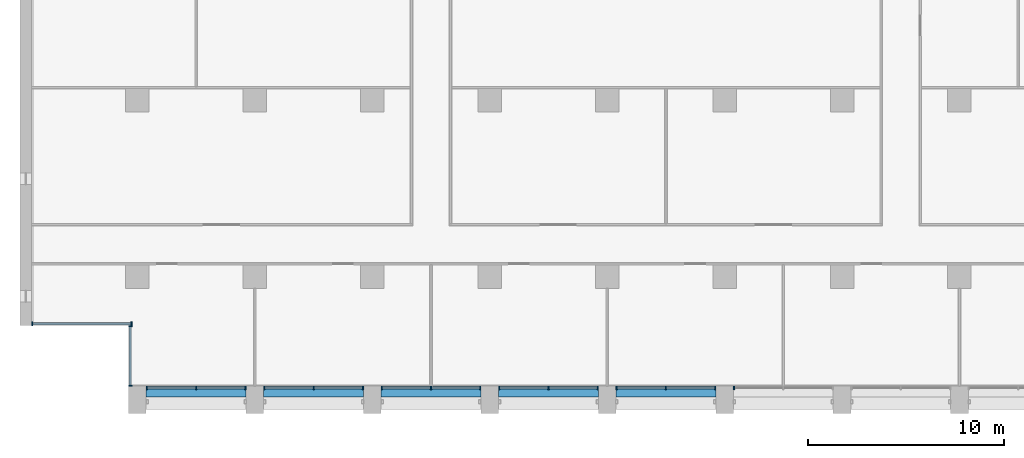
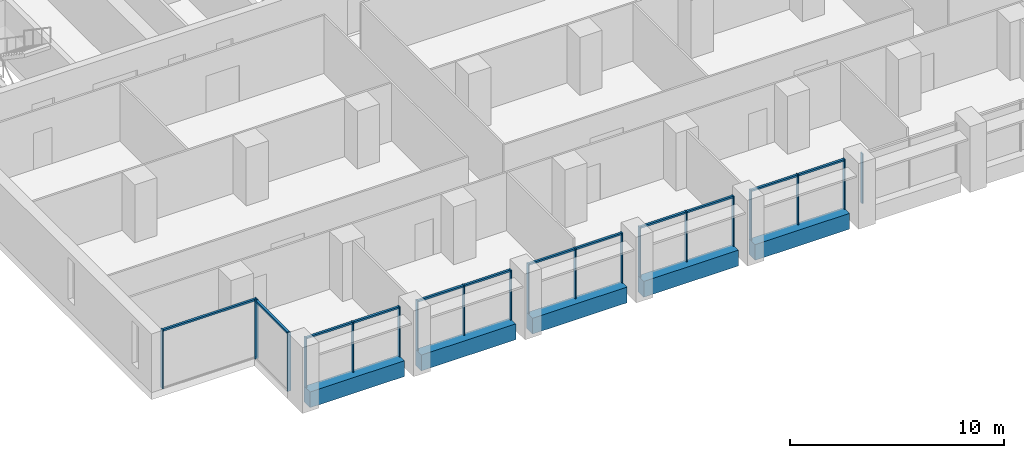
# One storey, part 2 of 17: 32 members, 5 beams, 8 elements without a shape of their own.
"""IFC4 building model written with IfcOpenShell, lengths in metres."""

from ifc_helpers import new_model, si_unit, direction, frame, origin, origin_2d, place, context, subcontext, project, spatial, rectangle, extrude, material, material_profile, profile_set, type_object, element, aggregate, save


model = new_model("IFC4")

# Units and contexts
model_context = context("Model", 3, precision=1e-05, world=origin(), true_north=direction((0.0, 1.0)))
body_context = subcontext(model_context, "Body", "Model", "MODEL_VIEW")
ifc_project = project(units=[si_unit("LENGTHUNIT", "METRE"), si_unit("AREAUNIT", "SQUARE_METRE"), si_unit("VOLUMEUNIT", "CUBIC_METRE"), si_unit("PLANEANGLEUNIT", "RADIAN"), si_unit("MASSUNIT", "GRAM", prefix="KILO")], contexts=[model_context])

# Site, building, storey
site_placement = place(None, origin())
site = spatial("IfcSite", under=ifc_project, at=site_placement, CompositionType="ELEMENT")
building_placement = place(site_placement, origin())
building = spatial("IfcBuilding", under=site, at=building_placement, Name="Calvaro Tower", CompositionType="ELEMENT")
storey_placement = place(building_placement, frame((0.0, 0.0, 174.25)))
storey = spatial("IfcBuildingStorey", under=building, at=storey_placement, Name="L43", CompositionType="ELEMENT", Elevation=174.25)

# Curtain wall, members
ifc_material_1 = material(Name="Anodised aluminium", Category="aluminium")
curtain_wall_type = type_object("IfcCurtainWallType", Name="Office curtain wall, upper zone", PredefinedType="NOTDEFINED", material=ifc_material_1)
curtain_wall_1_placement = place(storey_placement, origin())
curtain_wall_1 = element("IfcCurtainWall", 1, at=curtain_wall_1_placement, inside=storey, type_object=curtain_wall_type, Name="CW3 south curtain wall", PredefinedType="NOTDEFINED")
ifc_material_2 = material(Name="Anodised aluminium", Category="aluminium")
ifc_material_profile_1 = material_profile(ifc_material_2, rectangle(XDim=0.179931640625, YDim=0.06005859375, at=origin_2d()), Name="Mullion S3 60 x 180")
ifc_profile_set_1 = profile_set([ifc_material_profile_1], Name="Anodised aluminium")
member_type_1 = type_object("IfcMemberType", Name="Mullion S3 60 x 180", PredefinedType="MULLION", material=ifc_profile_set_1)
member_1_placement = place(storey_placement, frame((12.47998046875, 4.31005859375, 0.0), z_axis=(0.0, 0.0, 1.0), x_axis=(0.0, 1.0, 0.0)))
member_1 = element("IfcMember", 2, at=member_1_placement, type_object=member_type_1, Name="CW3 mullion 1", PredefinedType="MULLION", context=body_context, shape_type="SweptSolid", body=[
    extrude(rectangle(XDim=0.179931640625, YDim=0.06005859375, at=origin_2d()), origin(), (0.0, 0.0, 1.0), 2.85009765625),
])
member_2_placement = place(storey_placement, frame((15.0, 4.31005859375, 0.0), z_axis=(0.0, 0.0, 1.0), x_axis=(0.0, 1.0, 0.0)))
member_2 = element("IfcMember", 3, at=member_2_placement, type_object=member_type_1, Name="CW3 mullion 2", PredefinedType="MULLION", context=body_context, shape_type="SweptSolid", body=[
    extrude(rectangle(XDim=0.179931640625, YDim=0.06005859375, at=origin_2d()), origin(), (0.0, 0.0, 1.0), 2.85009765625),
])
member_3_placement = place(storey_placement, frame((17.52001953125, 4.31005859375, 0.0), z_axis=(0.0, 0.0, 1.0), x_axis=(0.0, 1.0, 0.0)))
member_3 = element("IfcMember", 4, at=member_3_placement, type_object=member_type_1, Name="CW3 mullion 3", PredefinedType="MULLION", context=body_context, shape_type="SweptSolid", body=[
    extrude(rectangle(XDim=0.179931640625, YDim=0.06005859375, at=origin_2d()), origin(), (0.0, 0.0, 1.0), 2.85009765625),
])

curtain_wall_2_placement = place(storey_placement, origin())
curtain_wall_2 = element("IfcCurtainWall", 5, at=curtain_wall_2_placement, inside=storey, type_object=curtain_wall_type, Name="CW3 south curtain wall", PredefinedType="NOTDEFINED")
member_4_placement = place(storey_placement, frame((18.47998046875, 4.31005859375, 0.0), z_axis=(0.0, 0.0, 1.0), x_axis=(0.0, 1.0, 0.0)))
member_4 = element("IfcMember", 6, at=member_4_placement, type_object=member_type_1, Name="CW3 mullion 1", PredefinedType="MULLION", context=body_context, shape_type="SweptSolid", body=[
    extrude(rectangle(XDim=0.179931640625, YDim=0.06005859375, at=origin_2d()), origin(), (0.0, 0.0, 1.0), 2.85009765625),
])
member_5_placement = place(storey_placement, frame((21.0, 4.31005859375, 0.0), z_axis=(0.0, 0.0, 1.0), x_axis=(0.0, 1.0, 0.0)))
member_5 = element("IfcMember", 7, at=member_5_placement, type_object=member_type_1, Name="CW3 mullion 2", PredefinedType="MULLION", context=body_context, shape_type="SweptSolid", body=[
    extrude(rectangle(XDim=0.179931640625, YDim=0.06005859375, at=origin_2d()), origin(), (0.0, 0.0, 1.0), 2.85009765625),
])
member_6_placement = place(storey_placement, frame((23.52001953125, 4.31005859375, 0.0), z_axis=(0.0, 0.0, 1.0), x_axis=(0.0, 1.0, 0.0)))
member_6 = element("IfcMember", 8, at=member_6_placement, type_object=member_type_1, Name="CW3 mullion 3", PredefinedType="MULLION", context=body_context, shape_type="SweptSolid", body=[
    extrude(rectangle(XDim=0.179931640625, YDim=0.06005859375, at=origin_2d()), origin(), (0.0, 0.0, 1.0), 2.85009765625),
])

curtain_wall_3_placement = place(storey_placement, origin())
curtain_wall_3 = element("IfcCurtainWall", 9, at=curtain_wall_3_placement, inside=storey, type_object=curtain_wall_type, Name="CW3 south curtain wall", PredefinedType="NOTDEFINED")
member_7_placement = place(storey_placement, frame((24.47998046875, 4.31005859375, 0.0), z_axis=(0.0, 0.0, 1.0), x_axis=(0.0, 1.0, 0.0)))
member_7 = element("IfcMember", 10, at=member_7_placement, type_object=member_type_1, Name="CW3 mullion 1", PredefinedType="MULLION", context=body_context, shape_type="SweptSolid", body=[
    extrude(rectangle(XDim=0.179931640625, YDim=0.06005859375, at=origin_2d()), origin(), (0.0, 0.0, 1.0), 2.85009765625),
])
member_8_placement = place(storey_placement, frame((27.0, 4.31005859375, 0.0), z_axis=(0.0, 0.0, 1.0), x_axis=(0.0, 1.0, 0.0)))
member_8 = element("IfcMember", 11, at=member_8_placement, type_object=member_type_1, Name="CW3 mullion 2", PredefinedType="MULLION", context=body_context, shape_type="SweptSolid", body=[
    extrude(rectangle(XDim=0.179931640625, YDim=0.06005859375, at=origin_2d()), origin(), (0.0, 0.0, 1.0), 2.85009765625),
])
member_9_placement = place(storey_placement, frame((29.52001953125, 4.31005859375, 0.0), z_axis=(0.0, 0.0, 1.0), x_axis=(0.0, 1.0, 0.0)))
member_9 = element("IfcMember", 12, at=member_9_placement, type_object=member_type_1, Name="CW3 mullion 3", PredefinedType="MULLION", context=body_context, shape_type="SweptSolid", body=[
    extrude(rectangle(XDim=0.179931640625, YDim=0.06005859375, at=origin_2d()), origin(), (0.0, 0.0, 1.0), 2.85009765625),
])

curtain_wall_4_placement = place(storey_placement, origin())
curtain_wall_4 = element("IfcCurtainWall", 13, at=curtain_wall_4_placement, inside=storey, type_object=curtain_wall_type, Name="CW3 south curtain wall", PredefinedType="NOTDEFINED")
member_10_placement = place(storey_placement, frame((30.47998046875, 4.31005859375, 0.0), z_axis=(0.0, 0.0, 1.0), x_axis=(0.0, 1.0, 0.0)))
member_10 = element("IfcMember", 14, at=member_10_placement, type_object=member_type_1, Name="CW3 mullion 1", PredefinedType="MULLION", context=body_context, shape_type="SweptSolid", body=[
    extrude(rectangle(XDim=0.179931640625, YDim=0.06005859375, at=origin_2d()), origin(), (0.0, 0.0, 1.0), 2.85009765625),
])
member_11_placement = place(storey_placement, frame((33.0, 4.31005859375, 0.0), z_axis=(0.0, 0.0, 1.0), x_axis=(0.0, 1.0, 0.0)))
member_11 = element("IfcMember", 15, at=member_11_placement, type_object=member_type_1, Name="CW3 mullion 2", PredefinedType="MULLION", context=body_context, shape_type="SweptSolid", body=[
    extrude(rectangle(XDim=0.179931640625, YDim=0.06005859375, at=origin_2d()), origin(), (0.0, 0.0, 1.0), 2.85009765625),
])
member_12_placement = place(storey_placement, frame((35.52001953125, 4.31005859375, 0.0), z_axis=(0.0, 0.0, 1.0), x_axis=(0.0, 1.0, 0.0)))
member_12 = element("IfcMember", 16, at=member_12_placement, type_object=member_type_1, Name="CW3 mullion 3", PredefinedType="MULLION", context=body_context, shape_type="SweptSolid", body=[
    extrude(rectangle(XDim=0.179931640625, YDim=0.06005859375, at=origin_2d()), origin(), (0.0, 0.0, 1.0), 2.85009765625),
])

curtain_wall_5_placement = place(storey_placement, origin())
curtain_wall_5 = element("IfcCurtainWall", 17, at=curtain_wall_5_placement, inside=storey, type_object=curtain_wall_type, Name="CW3 south curtain wall", PredefinedType="NOTDEFINED")
member_13_placement = place(storey_placement, frame((36.47998046875, 4.31005859375, 0.0), z_axis=(0.0, 0.0, 1.0), x_axis=(0.0, 1.0, 0.0)))
member_13 = element("IfcMember", 18, at=member_13_placement, type_object=member_type_1, Name="CW3 mullion 1", PredefinedType="MULLION", context=body_context, shape_type="SweptSolid", body=[
    extrude(rectangle(XDim=0.179931640625, YDim=0.06005859375, at=origin_2d()), origin(), (0.0, 0.0, 1.0), 2.85009765625),
])
member_14_placement = place(storey_placement, frame((39.0, 4.31005859375, 0.0), z_axis=(0.0, 0.0, 1.0), x_axis=(0.0, 1.0, 0.0)))
member_14 = element("IfcMember", 19, at=member_14_placement, type_object=member_type_1, Name="CW3 mullion 2", PredefinedType="MULLION", context=body_context, shape_type="SweptSolid", body=[
    extrude(rectangle(XDim=0.179931640625, YDim=0.06005859375, at=origin_2d()), origin(), (0.0, 0.0, 1.0), 2.85009765625),
])
member_15_placement = place(storey_placement, frame((41.52001953125, 4.31005859375, 0.0), z_axis=(0.0, 0.0, 1.0), x_axis=(0.0, 1.0, 0.0)))
member_15 = element("IfcMember", 20, at=member_15_placement, type_object=member_type_1, Name="CW3 mullion 3", PredefinedType="MULLION", context=body_context, shape_type="SweptSolid", body=[
    extrude(rectangle(XDim=0.179931640625, YDim=0.06005859375, at=origin_2d()), origin(), (0.0, 0.0, 1.0), 2.85009765625),
])

# Curtain wall, member
curtain_wall_6_placement = place(storey_placement, origin())
curtain_wall_6 = element("IfcCurtainWall", 21, at=curtain_wall_6_placement, inside=storey, type_object=curtain_wall_type, Name="CW3 south curtain wall", PredefinedType="NOTDEFINED")
member_16_placement = place(storey_placement, frame((42.47998046875, 4.31005859375, 0.0), z_axis=(0.0, 0.0, 1.0), x_axis=(0.0, 1.0, 0.0)))
member_16 = element("IfcMember", 22, at=member_16_placement, type_object=member_type_1, Name="CW3 mullion 1", PredefinedType="MULLION", context=body_context, shape_type="SweptSolid", body=[
    extrude(rectangle(XDim=0.179931640625, YDim=0.06005859375, at=origin_2d()), origin(), (0.0, 0.0, 1.0), 2.85009765625),
])
aggregate(curtain_wall_6, [member_16])

# Curtain wall, members
curtain_wall_7_placement = place(storey_placement, origin())
curtain_wall_7 = element("IfcCurtainWall", 23, at=curtain_wall_7_placement, inside=storey, type_object=curtain_wall_type, Name="CW3 corner curtain wall", PredefinedType="NOTDEFINED")
member_17_placement = place(storey_placement, frame((11.639892578125, 4.429931640625, 0.0), z_axis=(0.0, 0.0, 1.0), x_axis=(-1.0, 0.0, 0.0)))
member_17 = element("IfcMember", 24, at=member_17_placement, type_object=member_type_1, Name="CW3 mullion 1", PredefinedType="MULLION", context=body_context, shape_type="SweptSolid", body=[
    extrude(rectangle(XDim=0.179931640625, YDim=0.06005859375, at=origin_2d()), origin(), (0.0, 0.0, 1.0), 3.35009765625),
])
member_18_placement = place(storey_placement, frame((11.639892578125, 7.469970703125, 0.0), z_axis=(0.0, 0.0, 1.0), x_axis=(-1.0, 0.0, 0.0)))
member_18 = element("IfcMember", 25, at=member_18_placement, type_object=member_type_1, Name="CW3 mullion 2", PredefinedType="MULLION", context=body_context, shape_type="SweptSolid", body=[
    extrude(rectangle(XDim=0.179931640625, YDim=0.06005859375, at=origin_2d()), origin(), (0.0, 0.0, 1.0), 3.35009765625),
])

curtain_wall_8_placement = place(storey_placement, origin())
curtain_wall_8 = element("IfcCurtainWall", 26, at=curtain_wall_8_placement, inside=storey, type_object=curtain_wall_type, Name="CW3 corner curtain wall", PredefinedType="NOTDEFINED")
member_19_placement = place(storey_placement, frame((6.6298828125, 7.590087890625, 0.0), z_axis=(0.0, 0.0, 1.0), x_axis=(0.0, 1.0, 0.0)))
member_19 = element("IfcMember", 27, at=member_19_placement, type_object=member_type_1, Name="CW3 mullion 1", PredefinedType="MULLION", context=body_context, shape_type="SweptSolid", body=[
    extrude(rectangle(XDim=0.179931640625, YDim=0.06005859375, at=origin_2d()), origin(), (0.0, 0.0, 1.0), 3.35009765625),
])
member_20_placement = place(storey_placement, frame((11.699951171875, 7.590087890625, 0.0), z_axis=(0.0, 0.0, 1.0), x_axis=(0.0, 1.0, 0.0)))
member_20 = element("IfcMember", 28, at=member_20_placement, type_object=member_type_1, Name="CW3 mullion 2", PredefinedType="MULLION", context=body_context, shape_type="SweptSolid", body=[
    extrude(rectangle(XDim=0.179931640625, YDim=0.06005859375, at=origin_2d()), origin(), (0.0, 0.0, 1.0), 3.35009765625),
])

# Beams
ifc_material_3 = material(Name="Concrete C50/60 precast", Category="concrete")
ifc_material_profile_2 = material_profile(ifc_material_3, rectangle(XDim=0.550048828125, YDim=0.89990234375, at=origin_2d()), Name="RC 550x900")
ifc_profile_set_2 = profile_set([ifc_material_profile_2], Name="Concrete C50/60 precast")
beam_type = type_object("IfcBeamType", Name="Spandrel beam 550x900 C50/60", PredefinedType="SPANDREL", material=ifc_profile_set_2)
for number, where, z_axis, x_axis, name in (
    (29, (12.449951171875, 4.125, -0.449951171875), (1.0, 0.0, 0.0), (0.0, 1.0, 0.0), "Spandrel beam"),
    (30, (18.449951171875, 4.125, -0.449951171875), (1.0, 0.0, 0.0), (0.0, 1.0, 0.0), "Spandrel beam"),
    (31, (24.449951171875, 4.125, -0.449951171875), (1.0, 0.0, 0.0), (0.0, 1.0, 0.0), "Spandrel beam"),
    (32, (30.449951171875, 4.125, -0.449951171875), (1.0, 0.0, 0.0), (0.0, 1.0, 0.0), "Spandrel beam"),
    (33, (36.449951171875, 4.125, -0.449951171875), (1.0, 0.0, 0.0), (0.0, 1.0, 0.0), "Spandrel beam"),
):
    element("IfcBeam", number, at=place(storey_placement, frame(where, z_axis=z_axis, x_axis=x_axis)), inside=storey, type_object=beam_type, Name=name, PredefinedType="SPANDREL", context=body_context, shape_type="SweptSolid", body=[
        extrude(rectangle(XDim=0.550048828125, YDim=0.89990234375, at=origin_2d()), origin(), (0.0, 0.0, 1.0), 5.10009765625),
    ])

# Member
ifc_material_4 = material(Name="Anodised aluminium", Category="aluminium")
ifc_material_profile_3 = material_profile(ifc_material_4, rectangle(XDim=0.1201171875, YDim=0.10009765625, at=origin_2d()), Name="Transom S3 100 x 120")
ifc_profile_set_3 = profile_set([ifc_material_profile_3], Name="Anodised aluminium")
member_type_2 = type_object("IfcMemberType", Name="Transom S3 100 x 120", PredefinedType="USERDEFINED", material=ifc_profile_set_3)
member_21_placement = place(storey_placement, frame((12.510009765625, 4.31005859375, 2.800048828125), z_axis=(1.0, 0.0, 0.0), x_axis=(0.0, 1.0, 0.0)))
member_21 = element("IfcMember", 34, at=member_21_placement, type_object=member_type_2, Name="CW3 transom 1.1", ObjectType="TRANSOM", PredefinedType="USERDEFINED", context=body_context, shape_type="SweptSolid", body=[
    extrude(rectangle(XDim=0.1201171875, YDim=0.10009765625, at=origin_2d()), origin(), (0.0, 0.0, 1.0), 2.4599609375),
])

member_22_placement = place(storey_placement, frame((15.030029296875, 4.31005859375, 2.800048828125), z_axis=(1.0, 0.0, 0.0), x_axis=(0.0, 1.0, 0.0)))
member_22 = element("IfcMember", 35, at=member_22_placement, type_object=member_type_2, Name="CW3 transom 2.1", ObjectType="TRANSOM", PredefinedType="USERDEFINED", context=body_context, shape_type="SweptSolid", body=[
    extrude(rectangle(XDim=0.1201171875, YDim=0.10009765625, at=origin_2d()), origin(), (0.0, 0.0, 1.0), 2.4599609375),
])

aggregate(curtain_wall_1, [member_1, member_2, member_3, member_21, member_22])

member_23_placement = place(storey_placement, frame((18.510009765625, 4.31005859375, 2.800048828125), z_axis=(1.0, 0.0, 0.0), x_axis=(0.0, 1.0, 0.0)))
member_23 = element("IfcMember", 36, at=member_23_placement, type_object=member_type_2, Name="CW3 transom 1.1", ObjectType="TRANSOM", PredefinedType="USERDEFINED", context=body_context, shape_type="SweptSolid", body=[
    extrude(rectangle(XDim=0.1201171875, YDim=0.10009765625, at=origin_2d()), origin(), (0.0, 0.0, 1.0), 2.4599609375),
])

member_24_placement = place(storey_placement, frame((21.030029296875, 4.31005859375, 2.800048828125), z_axis=(1.0, 0.0, 0.0), x_axis=(0.0, 1.0, 0.0)))
member_24 = element("IfcMember", 37, at=member_24_placement, type_object=member_type_2, Name="CW3 transom 2.1", ObjectType="TRANSOM", PredefinedType="USERDEFINED", context=body_context, shape_type="SweptSolid", body=[
    extrude(rectangle(XDim=0.1201171875, YDim=0.10009765625, at=origin_2d()), origin(), (0.0, 0.0, 1.0), 2.4599609375),
])

aggregate(curtain_wall_2, [member_4, member_5, member_6, member_23, member_24])

member_25_placement = place(storey_placement, frame((24.510009765625, 4.31005859375, 2.800048828125), z_axis=(1.0, 0.0, 0.0), x_axis=(0.0, 1.0, 0.0)))
member_25 = element("IfcMember", 38, at=member_25_placement, type_object=member_type_2, Name="CW3 transom 1.1", ObjectType="TRANSOM", PredefinedType="USERDEFINED", context=body_context, shape_type="SweptSolid", body=[
    extrude(rectangle(XDim=0.1201171875, YDim=0.10009765625, at=origin_2d()), origin(), (0.0, 0.0, 1.0), 2.4599609375),
])

member_26_placement = place(storey_placement, frame((27.030029296875, 4.31005859375, 2.800048828125), z_axis=(1.0, 0.0, 0.0), x_axis=(0.0, 1.0, 0.0)))
member_26 = element("IfcMember", 39, at=member_26_placement, type_object=member_type_2, Name="CW3 transom 2.1", ObjectType="TRANSOM", PredefinedType="USERDEFINED", context=body_context, shape_type="SweptSolid", body=[
    extrude(rectangle(XDim=0.1201171875, YDim=0.10009765625, at=origin_2d()), origin(), (0.0, 0.0, 1.0), 2.4599609375),
])

aggregate(curtain_wall_3, [member_7, member_8, member_9, member_25, member_26])

member_27_placement = place(storey_placement, frame((30.510009765625, 4.31005859375, 2.800048828125), z_axis=(1.0, 0.0, 0.0), x_axis=(0.0, 1.0, 0.0)))
member_27 = element("IfcMember", 40, at=member_27_placement, type_object=member_type_2, Name="CW3 transom 1.1", ObjectType="TRANSOM", PredefinedType="USERDEFINED", context=body_context, shape_type="SweptSolid", body=[
    extrude(rectangle(XDim=0.1201171875, YDim=0.10009765625, at=origin_2d()), origin(), (0.0, 0.0, 1.0), 2.4599609375),
])

member_28_placement = place(storey_placement, frame((33.030029296875, 4.31005859375, 2.800048828125), z_axis=(1.0, 0.0, 0.0), x_axis=(0.0, 1.0, 0.0)))
member_28 = element("IfcMember", 41, at=member_28_placement, type_object=member_type_2, Name="CW3 transom 2.1", ObjectType="TRANSOM", PredefinedType="USERDEFINED", context=body_context, shape_type="SweptSolid", body=[
    extrude(rectangle(XDim=0.1201171875, YDim=0.10009765625, at=origin_2d()), origin(), (0.0, 0.0, 1.0), 2.4599609375),
])

aggregate(curtain_wall_4, [member_10, member_11, member_12, member_27, member_28])

member_29_placement = place(storey_placement, frame((36.510009765625, 4.31005859375, 2.800048828125), z_axis=(1.0, 0.0, 0.0), x_axis=(0.0, 1.0, 0.0)))
member_29 = element("IfcMember", 42, at=member_29_placement, type_object=member_type_2, Name="CW3 transom 1.1", ObjectType="TRANSOM", PredefinedType="USERDEFINED", context=body_context, shape_type="SweptSolid", body=[
    extrude(rectangle(XDim=0.1201171875, YDim=0.10009765625, at=origin_2d()), origin(), (0.0, 0.0, 1.0), 2.4599609375),
])

member_30_placement = place(storey_placement, frame((39.030029296875, 4.31005859375, 2.800048828125), z_axis=(1.0, 0.0, 0.0), x_axis=(0.0, 1.0, 0.0)))
member_30 = element("IfcMember", 43, at=member_30_placement, type_object=member_type_2, Name="CW3 transom 2.1", ObjectType="TRANSOM", PredefinedType="USERDEFINED", context=body_context, shape_type="SweptSolid", body=[
    extrude(rectangle(XDim=0.1201171875, YDim=0.10009765625, at=origin_2d()), origin(), (0.0, 0.0, 1.0), 2.4599609375),
])

aggregate(curtain_wall_5, [member_13, member_14, member_15, member_29, member_30])

member_31_placement = place(storey_placement, frame((11.639892578125, 4.4599609375, 3.300048828125), z_axis=(0.0, 1.0, 0.0), x_axis=(-1.0, 0.0, 0.0)))
member_31 = element("IfcMember", 44, at=member_31_placement, type_object=member_type_2, Name="CW3 transom 1.1", ObjectType="TRANSOM", PredefinedType="USERDEFINED", context=body_context, shape_type="SweptSolid", body=[
    extrude(rectangle(XDim=0.1201171875, YDim=0.10009765625, at=origin_2d()), origin(), (0.0, 0.0, 1.0), 2.97998046875),
])

aggregate(curtain_wall_7, [member_17, member_18, member_31])

member_32_placement = place(storey_placement, frame((6.659912109375, 7.590087890625, 3.300048828125), z_axis=(1.0, 0.0, 0.0), x_axis=(0.0, 1.0, 0.0)))
member_32 = element("IfcMember", 45, at=member_32_placement, type_object=member_type_2, Name="CW3 transom 1.1", ObjectType="TRANSOM", PredefinedType="USERDEFINED", context=body_context, shape_type="SweptSolid", body=[
    extrude(rectangle(XDim=0.1201171875, YDim=0.10009765625, at=origin_2d()), origin(), (0.0, 0.0, 1.0), 5.010009765625),
])

aggregate(curtain_wall_8, [member_19, member_20, member_32])

save(model, "model.ifc")
